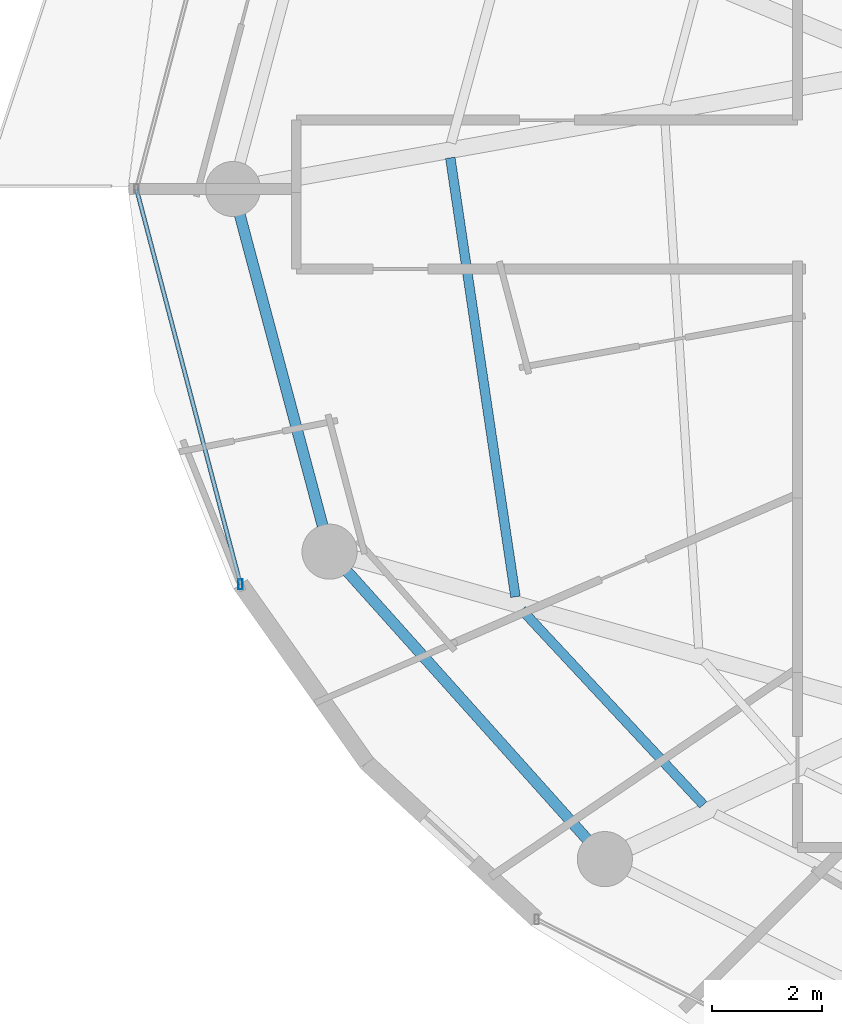
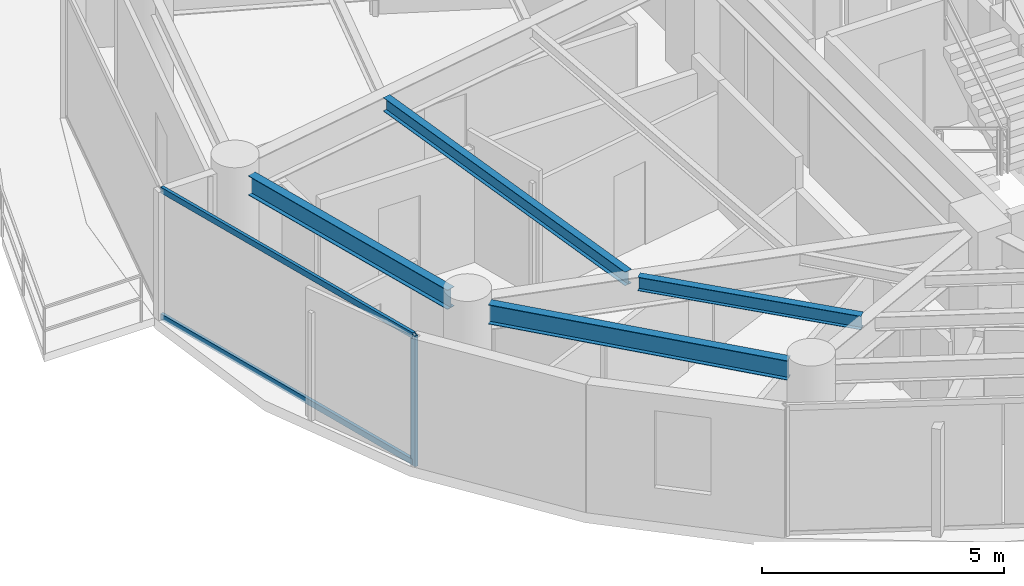
# One storey, part 3 of 31: 4 beams, 3 members, 1 element without a shape of its own.
"""IFC4 building model written with IfcOpenShell, lengths in metres."""

from ifc_helpers import new_model, si_unit, direction, frame, origin, origin_2d, place, context, subcontext, project, spatial, hollow_rectangle, i_section, extrude, material, material_profile, profile_set, type_object, element, aggregate, save


model = new_model("IFC4")

# Units and contexts
model_context = context("Model", 3, precision=1e-05, world=origin(), true_north=direction((0.0, 1.0)))
body_context = subcontext(model_context, "Body", "Model", "MODEL_VIEW")
ifc_project = project(units=[si_unit("LENGTHUNIT", "METRE"), si_unit("AREAUNIT", "SQUARE_METRE"), si_unit("VOLUMEUNIT", "CUBIC_METRE"), si_unit("PLANEANGLEUNIT", "RADIAN"), si_unit("MASSUNIT", "GRAM", prefix="KILO")], contexts=[model_context])

# Site, building, storey
site_placement = place(None, origin())
site = spatial("IfcSite", under=ifc_project, at=site_placement, CompositionType="ELEMENT")
building_placement = place(site_placement, origin())
building = spatial("IfcBuilding", under=site, at=building_placement, Name="Vorneva Point Tower", CompositionType="ELEMENT")
storey_placement = place(building_placement, frame((0.0, 0.0, 136.10009765625)))
storey = spatial("IfcBuildingStorey", under=building, at=storey_placement, Name="L36", CompositionType="ELEMENT", Elevation=136.10009765625)

# Beams
ifc_material_1 = material(Name="Steel S355", Category="steel")
ifc_material_profile_1 = material_profile(ifc_material_1, i_section(OverallWidth=0.174072265625, OverallDepth=0.345947265625, WebThickness=0.006103515625, FlangeThickness=0.009033203125, at=origin_2d()), Name="35B1")
ifc_profile_set_1 = profile_set([ifc_material_profile_1], Name="Steel S355")
beam_type_1 = type_object("IfcBeamType", Name="BM-SEC-35B1", PredefinedType="BEAM", material=ifc_profile_set_1)
beam_1_placement = place(storey_placement, frame((18.89599609375, 26.565673828125, 3.06689453125), z_axis=(0.146838688034, -0.989160451947, 0.0), x_axis=(0.989160451947, 0.146838688034, 0.0)))
element("IfcBeam", 1, at=beam_1_placement, inside=storey, type_object=beam_type_1, Name="L36 Secondary Floor Beam 1.09", PredefinedType="BEAM", context=body_context, shape_type="SweptSolid", body=[
    extrude(i_section(OverallWidth=0.174072265625, OverallDepth=0.345947265625, WebThickness=0.006103515625, FlangeThickness=0.009033203125, at=origin_2d()), origin(), (0.0, 0.0, 1.0), 8.053955078125),
])
beam_2_placement = place(storey_placement, frame((20.193115234375, 18.361572265625, 3.06689453125), z_axis=(0.68166662065, -0.731662913022, 0.0), x_axis=(0.731662913022, 0.68166662065, 0.0)))
element("IfcBeam", 2, at=beam_2_placement, inside=storey, type_object=beam_type_1, Name="L36 Secondary Floor Beam 1.10", PredefinedType="BEAM", context=body_context, shape_type="SweptSolid", body=[
    extrude(i_section(OverallWidth=0.174072265625, OverallDepth=0.345947265625, WebThickness=0.006103515625, FlangeThickness=0.009033203125, at=origin_2d()), origin(), (0.0, 0.0, 1.0), 4.834228515625),
])
ifc_material_profile_2 = material_profile(ifc_material_1, i_section(OverallWidth=0.199951171875, OverallDepth=0.491943359375, WebThickness=0.0087890625, FlangeThickness=0.011962890625, at=origin_2d()), Name="50B1")
ifc_profile_set_2 = profile_set([ifc_material_profile_2], Name="Steel S355")
beam_type_2 = type_object("IfcBeamType", Name="BM-SPN-50B1", PredefinedType="SPANDREL", material=ifc_profile_set_2)
beam_3_placement = place(storey_placement, frame((15.074951171875, 25.531494140625, 2.993896484375), z_axis=(0.257550804648, -0.966264758245, 0.0), x_axis=(0.966264758245, 0.257550804648, 0.0)))
element("IfcBeam", 3, at=beam_3_placement, inside=storey, type_object=beam_type_2, Name="L36 Perimeter Spandrel Ring Beam 09", PredefinedType="SPANDREL", context=body_context, shape_type="SweptSolid", body=[
    extrude(i_section(OverallWidth=0.199951171875, OverallDepth=0.491943359375, WebThickness=0.0087890625, FlangeThickness=0.011962890625, at=origin_2d()), origin(), (0.0, 0.0, 1.0), 5.842041015625),
])
beam_4_placement = place(storey_placement, frame((17.028076171875, 19.056396484375, 2.993896484375), z_axis=(0.667111118975, -0.74495822362, 0.0), x_axis=(0.74495822362, 0.667111118975, 0.0)))
element("IfcBeam", 4, at=beam_4_placement, inside=storey, type_object=beam_type_2, Name="L36 Perimeter Spandrel Ring Beam 10", PredefinedType="SPANDREL", context=body_context, shape_type="SweptSolid", body=[
    extrude(i_section(OverallWidth=0.199951171875, OverallDepth=0.491943359375, WebThickness=0.0087890625, FlangeThickness=0.011962890625, at=origin_2d()), origin(), (0.0, 0.0, 1.0), 6.52001953125),
])

# Curtain wall, members
ifc_material_2 = material(Name="Pale anodised aluminium", Category="aluminium")
curtain_wall_type = type_object("IfcCurtainWallType", Name="CW-RES-SYS", PredefinedType="NOTDEFINED", material=ifc_material_2)
curtain_wall_placement = place(storey_placement, origin())
curtain_wall = element("IfcCurtainWall", 5, at=curtain_wall_placement, inside=storey, type_object=curtain_wall_type, Name="L36 Unitised Curtain Wall CW-L36-R03", PredefinedType="NOTDEFINED")
ifc_material_profile_3 = material_profile(ifc_material_2, hollow_rectangle(XDim=0.074951171875, YDim=0.179931640625, WallThickness=0.00390625, at=origin_2d()), Name="AL-MUL 180x75x4")
ifc_profile_set_3 = profile_set([ifc_material_profile_3], Name="Pale anodised aluminium")
member_type_1 = type_object("IfcMemberType", Name="CW-MUL-180", PredefinedType="MULLION", material=ifc_profile_set_3)
member_1_placement = place(storey_placement, frame((15.087890625, 18.82470703125, -0.0400390625), z_axis=(0.0, 0.0, 1.0), x_axis=(1.0, 0.0, 0.0)))
member_1 = element("IfcMember", 6, at=member_1_placement, type_object=member_type_1, Name="CW-L36-R03 Mullion 03", PredefinedType="MULLION", context=body_context, shape_type="SweptSolid", body=[
    extrude(hollow_rectangle(XDim=0.074951171875, YDim=0.179931640625, WallThickness=0.00390625, at=origin_2d()), origin(), (0.0, 0.0, 1.0), 3.31005859375),
])
ifc_material_profile_4 = material_profile(ifc_material_2, hollow_rectangle(XDim=0.074951171875, YDim=0.14990234375, WallThickness=0.00390625, at=origin_2d()), Name="AL-TRN 150x75x4")
ifc_profile_set_4 = profile_set([ifc_material_profile_4], Name="Pale anodised aluminium")
member_type_2 = type_object("IfcMemberType", Name="CW-TRN-150", PredefinedType="USERDEFINED", material=ifc_profile_set_4)
member_2_placement = place(storey_placement, frame((13.199951171875, 26.0, 0.02001953125), z_axis=(0.254456046293, -0.967084339913, 0.0), x_axis=(0.967084339913, 0.254456046293, 0.0)))
member_2 = element("IfcMember", 7, at=member_2_placement, type_object=member_type_2, Name="CW-L36-R03 Transom 02.1", ObjectType="TRANSOM", PredefinedType="USERDEFINED", context=body_context, shape_type="SweptSolid", body=[
    extrude(hollow_rectangle(XDim=0.074951171875, YDim=0.14990234375, WallThickness=0.00390625, at=origin_2d()), origin(), (0.0, 0.0, 1.0), 7.41943359375),
])
member_3_placement = place(storey_placement, frame((13.199951171875, 26.0, 3.219970703125), z_axis=(0.254456046293, -0.967084339913, 0.0), x_axis=(0.967084339913, 0.254456046293, 0.0)))
member_3 = element("IfcMember", 8, at=member_3_placement, type_object=member_type_2, Name="CW-L36-R03 Transom 02.2", ObjectType="TRANSOM", PredefinedType="USERDEFINED", context=body_context, shape_type="SweptSolid", body=[
    extrude(hollow_rectangle(XDim=0.074951171875, YDim=0.14990234375, WallThickness=0.00390625, at=origin_2d()), origin(), (0.0, 0.0, 1.0), 7.41943359375),
])
aggregate(curtain_wall, [member_1, member_2, member_3])

save(model, "model.ifc")
